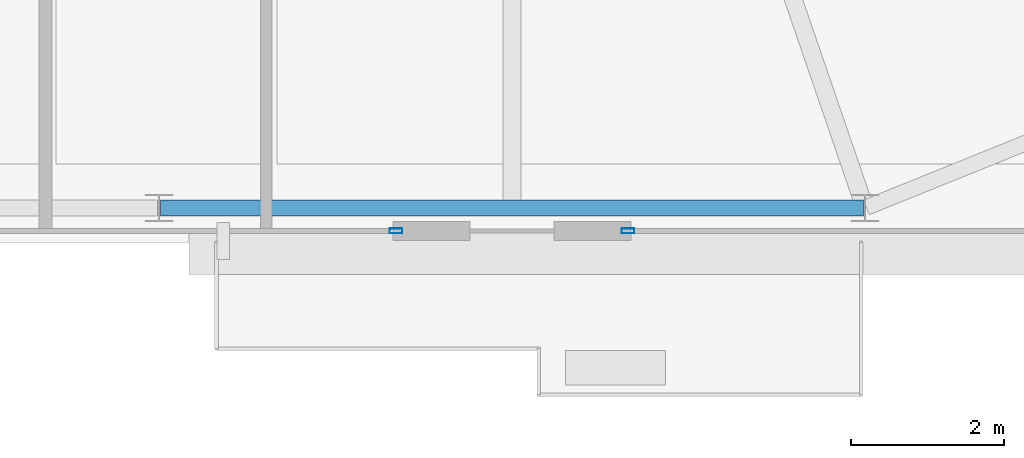
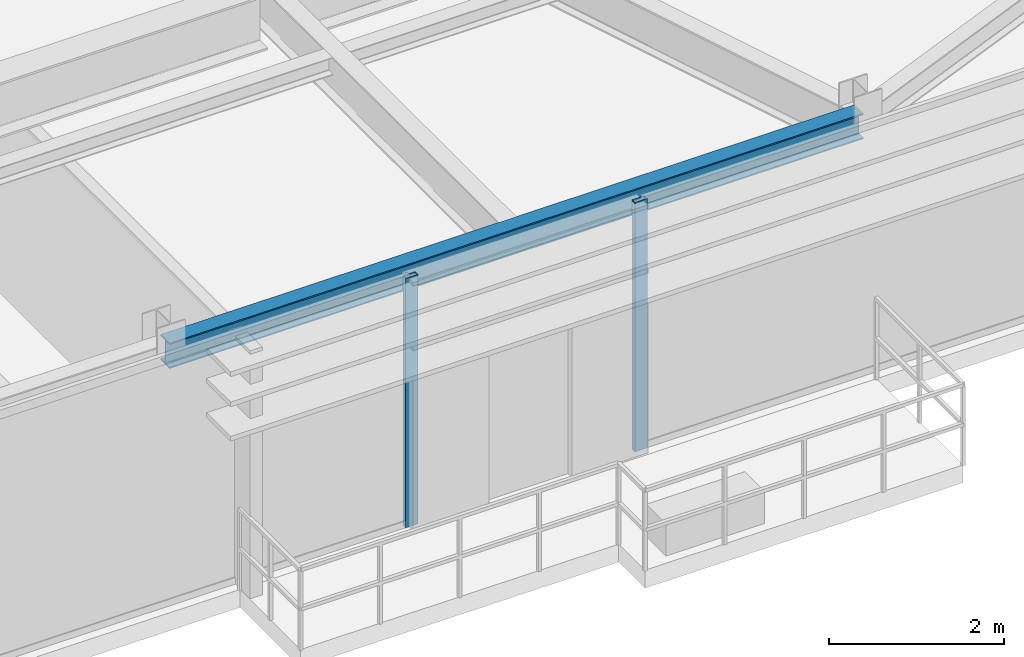
# One storey, part 12 of 28: 2 members, 1 beam, 2 elements without a shape of their own.
"""IFC4 building model written with IfcOpenShell, lengths in metres."""

from ifc_helpers import new_model, si_unit, direction, frame, origin, origin_2d, place, context, subcontext, project, spatial, hollow_rectangle, i_section, extrude, source, transform, mapped, material, layer, layer_set, material_profile, profile_set, type_object, type_shapes, element, aggregate, save


model = new_model("IFC4")

# Units and contexts
model_context = context("Model", 3, precision=1e-05, world=origin(), true_north=direction((0.0, 1.0)))
body_context = subcontext(model_context, "Body", "Model", "MODEL_VIEW")
ifc_project = project(units=[si_unit("LENGTHUNIT", "METRE"), si_unit("AREAUNIT", "SQUARE_METRE"), si_unit("VOLUMEUNIT", "CUBIC_METRE"), si_unit("PLANEANGLEUNIT", "RADIAN"), si_unit("MASSUNIT", "GRAM", prefix="KILO")], contexts=[model_context])

# Site, building, storey
site_placement = place(None, origin())
site = spatial("IfcSite", under=ifc_project, at=site_placement, CompositionType="ELEMENT")
building_placement = place(site_placement, origin())
building = spatial("IfcBuilding", under=site, at=building_placement, Name="Varnel Quay Broadcast Tower", CompositionType="ELEMENT")
storey_placement = place(building_placement, frame((0.0, 0.0, 230.199951171875)))
storey = spatial("IfcBuildingStorey", under=building, at=storey_placement, Name="L57", CompositionType="ELEMENT", Elevation=230.199951171875)

# Beam
ifc_material_1 = material(Name="Structural Steel CSA G40.21 350W", Category="steel")
ifc_material_profile_1 = material_profile(ifc_material_1, i_section(OverallWidth=0.205078125, OverallDepth=0.35400390625, WebThickness=0.009521484375, FlangeThickness=0.016845703125, FilletRadius=0.012939453125, at=origin_2d()), Name="W360X79")
ifc_profile_set_1 = profile_set([ifc_material_profile_1], Name="Structural Steel CSA G40.21 350W")
beam_type = type_object("IfcBeamType", Name="Beam_W360X79", PredefinedType="SPANDREL", material=ifc_profile_set_1)
shared_shape_1 = source(origin(), body_context, "Body", "SweptSolid", [
    extrude(i_section(OverallWidth=0.205078125, OverallDepth=0.35400390625, WebThickness=0.009521484375, FlangeThickness=0.016845703125, FilletRadius=0.012939453125, at=origin_2d()), origin(), (0.0, 0.0, 1.0), 9.159912109375),
])
type_shapes(beam_type, [shared_shape_1])
beam_placement = place(storey_placement, frame((38.6201171875, 10.64990234375, 3.302978515625), z_axis=(1.0, 0.0, 0.0), x_axis=(0.0, 1.0, 0.0)))
element("IfcBeam", 1, at=beam_placement, inside=storey, type_object=beam_type, Name="L57 South Spandrel TC-S3-TC-S4", PredefinedType="SPANDREL", context=body_context, shape_type="MappedRepresentation", body=[
    mapped(shared_shape_1, transform((0.0, 0.0, 0.0), x_axis=(1.0, 0.0, 0.0), y_axis=(0.0, 1.0, 0.0), z_axis=(0.0, 0.0, 1.0), scale=1.0)),
])

# Curtain wall, member
ifc_material_2 = material(Name="Anodised Bronze Aluminium 6063-T6", Category="aluminium")
ifc_layer = layer(ifc_material_2, 0.18994140625, Name="Anodised Bronze Aluminium 6063-T6")
ifc_layer_set = layer_set([ifc_layer], Name="Anodised Bronze Aluminium 6063-T6")
curtain_wall_type = type_object("IfcCurtainWallType", Name="CW_UpperTower", PredefinedType="NOTDEFINED", material=ifc_layer_set)
curtain_wall_1_placement = place(storey_placement, origin())
curtain_wall_1 = element("IfcCurtainWall", 2, at=curtain_wall_1_placement, inside=storey, type_object=curtain_wall_type, Name="L57 South Unitised Curtain Wall 2", PredefinedType="NOTDEFINED")
ifc_material_profile_2 = material_profile(ifc_material_2, hollow_rectangle(XDim=0.06494140625, YDim=0.1650390625, WallThickness=0.00341796875, at=origin_2d()), Name="ALU65X165X3.5")
ifc_profile_set_2 = profile_set([ifc_material_profile_2], Name="Anodised Bronze Aluminium 6063-T6")
member_type = type_object("IfcMemberType", Name="Mull_CWS-03", PredefinedType="MULLION", material=ifc_profile_set_2)
shared_shape_2 = source(origin(), body_context, "Body", "SweptSolid", [
    extrude(hollow_rectangle(XDim=0.06494140625, YDim=0.1650390625, WallThickness=0.00341796875, at=origin_2d()), origin(), (0.0, 0.0, 1.0), 3.47998046875),
])
type_shapes(member_type, [shared_shape_2])
member_1_placement = place(storey_placement, frame((41.6875, 10.35009765625, 0.0), z_axis=(0.0, 0.0, 1.0), x_axis=(0.0, 1.0, 0.0)))
member_1 = element("IfcMember", 3, at=member_1_placement, type_object=member_type, Name="CWS-03 mullion 2", PredefinedType="MULLION", context=body_context, shape_type="MappedRepresentation", body=[
    mapped(shared_shape_2, transform((0.0, 0.0, 0.0), x_axis=(1.0, 0.0, 0.0), y_axis=(0.0, 1.0, 0.0), z_axis=(0.0, 0.0, 1.0), scale=1.0)),
])
aggregate(curtain_wall_1, [member_1])

curtain_wall_2_placement = place(storey_placement, origin())
curtain_wall_2 = element("IfcCurtainWall", 4, at=curtain_wall_2_placement, inside=storey, type_object=curtain_wall_type, Name="L57 South Unitised Curtain Wall 3", PredefinedType="NOTDEFINED")
member_2_placement = place(storey_placement, frame((44.71240234375, 10.35009765625, 0.0), z_axis=(0.0, 0.0, 1.0), x_axis=(0.0, 1.0, 0.0)))
member_2 = element("IfcMember", 5, at=member_2_placement, type_object=member_type, Name="CWS-03 mullion 1", PredefinedType="MULLION", context=body_context, shape_type="MappedRepresentation", body=[
    mapped(shared_shape_2, transform((0.0, 0.0, 0.0), x_axis=(1.0, 0.0, 0.0), y_axis=(0.0, 1.0, 0.0), z_axis=(0.0, 0.0, 1.0), scale=1.0)),
])
aggregate(curtain_wall_2, [member_2])

save(model, "model.ifc")
